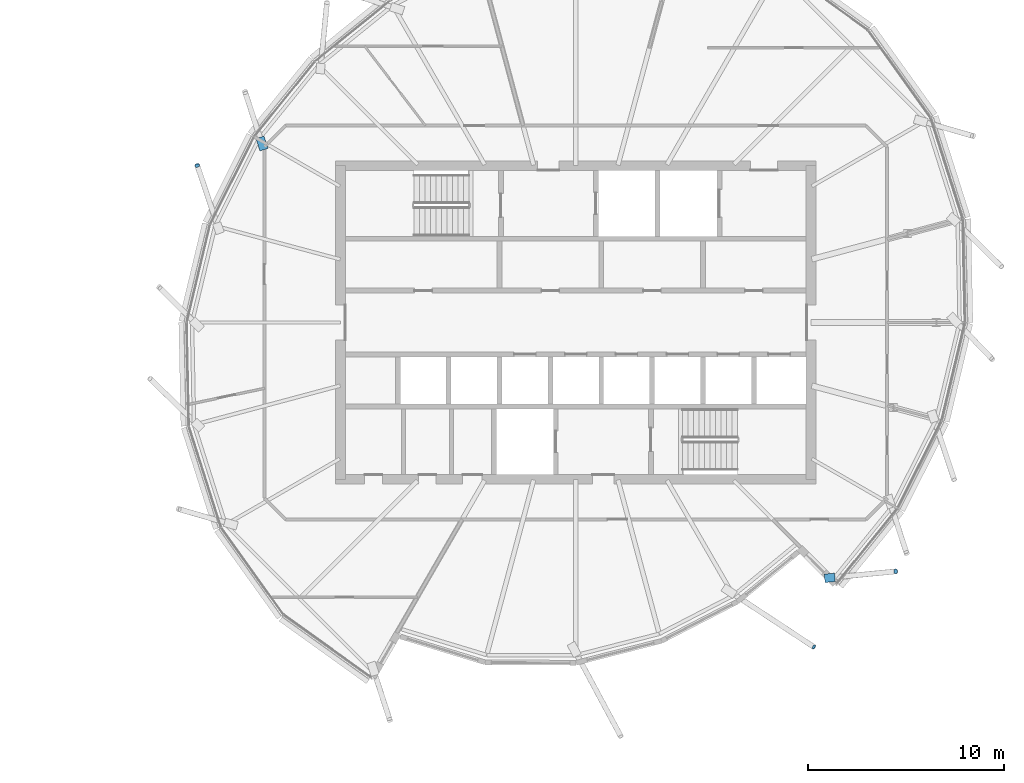
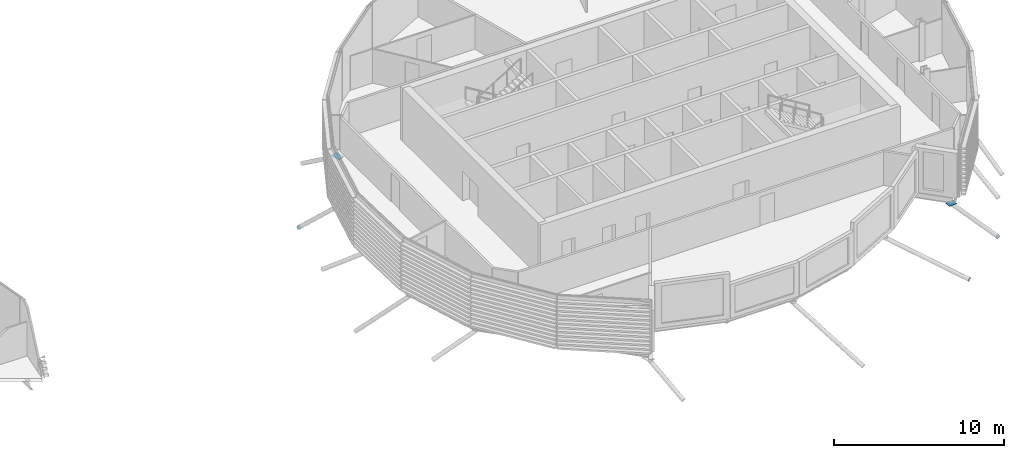
# One storey, part 30 of 38: 5 discrete accessories.
"""IFC4 building model written with IfcOpenShell, lengths in metres."""

from ifc_helpers import new_model, si_unit, direction, frame, origin, origin_2d, place, context, subcontext, project, spatial, polyline, rectangle, circle, outline, extrude, material, material_profile, profile_set, type_object, element, save


model = new_model("IFC4")

# Units and contexts
model_context = context("Model", 3, precision=1e-05, world=origin(), true_north=direction((0.0, 1.0)))
body_context = subcontext(model_context, "Body", "Model", "MODEL_VIEW")
ifc_project = project(units=[si_unit("LENGTHUNIT", "METRE"), si_unit("AREAUNIT", "SQUARE_METRE"), si_unit("VOLUMEUNIT", "CUBIC_METRE"), si_unit("PLANEANGLEUNIT", "RADIAN"), si_unit("MASSUNIT", "GRAM", prefix="KILO")], contexts=[model_context])

# Site, building, storey
site_placement = place(None, origin())
site = spatial("IfcSite", under=ifc_project, at=site_placement, CompositionType="ELEMENT")
building_placement = place(site_placement, origin())
building = spatial("IfcBuilding", under=site, at=building_placement, Name="Rimbun Link Towers", CompositionType="ELEMENT")
storey_placement = place(building_placement, frame((0.0, 0.0, 218.10009765625)))
storey = spatial("IfcBuildingStorey", under=building, at=storey_placement, Name="L53", CompositionType="ELEMENT", Elevation=218.10009765625)

# Discrete accessories
ifc_material_1 = material(Name="Steel S355J2H", Category="steel")
ifc_material_profile_1 = material_profile(ifc_material_1, circle(Radius=0.1240234375, at=origin_2d()), Name="PL D248")
ifc_profile_set_1 = profile_set([ifc_material_profile_1], Name="Steel S355J2H")
discrete_accessory_type_1 = type_object("IfcDiscreteAccessoryType", Name="Link foot sealing plate D248X20", PredefinedType="BRACKET", material=ifc_profile_set_1)
discrete_accessory_1_placement = place(storey_placement, frame((12.44091796875, 8.00537109375, -3.737548828125), z_axis=(-0.23132918753, 0.681812342194, -0.69398756259), x_axis=(-0.946978700315, -0.32129634475, 0.0)))
element("IfcDiscreteAccessory", 1, at=discrete_accessory_1_placement, inside=storey, type_object=discrete_accessory_type_1, Name="Link foot sealing plate T2 L53 08", PredefinedType="BRACKET", context=body_context, shape_type="SweptSolid", body=[
    extrude(circle(Radius=0.1240234375, at=origin_2d()), origin(), (0.0, 0.0, 1.0), 0.02001953125),
])
discrete_accessory_2_placement = place(storey_placement, frame((43.88818359375, -16.548828125, -3.598388671875), z_axis=(0.726129785447, -0.479984095465, -0.492291379964), x_axis=(0.551433013749, 0.834219174646, 0.0)))
element("IfcDiscreteAccessory", 2, at=discrete_accessory_2_placement, inside=storey, type_object=discrete_accessory_type_1, Name="Link foot sealing plate T2 L53 17", PredefinedType="BRACKET", context=body_context, shape_type="SweptSolid", body=[
    extrude(circle(Radius=0.1240234375, at=origin_2d()), origin(), (0.0, 0.0, 1.0), 0.019775390625),
])
discrete_accessory_3_placement = place(storey_placement, frame((48.065185546875, -12.69580078125, -4.31982421875), z_axis=(0.661048307145, 0.073449811905, -0.746739754367), x_axis=(-0.110431526075, 0.993883734674, 0.0)))
element("IfcDiscreteAccessory", 3, at=discrete_accessory_3_placement, inside=storey, type_object=discrete_accessory_type_1, Name="Link foot sealing plate T2 L53 18", PredefinedType="BRACKET", context=body_context, shape_type="SweptSolid", body=[
    extrude(circle(Radius=0.1240234375, at=origin_2d()), origin(), (0.0, 0.0, 1.0), 0.02001953125),
])
ifc_material_2 = material(Name="Steel S355J2H", Category="steel")
ifc_material_profile_2 = material_profile(ifc_material_2, rectangle(XDim=0.43310546875, YDim=0.43310546875, at=origin_2d()), Name="PL 433x433")
ifc_profile_set_2 = profile_set([ifc_material_profile_2], Name="Steel S355J2H")
discrete_accessory_type_2 = type_object("IfcDiscreteAccessoryType", Name="Link head end plate 433X20", PredefinedType="BRACKET", material=ifc_profile_set_2)
discrete_accessory_4_placement = place(storey_placement, frame((0.0, 0.0, -0.46337890625)))
element("IfcDiscreteAccessory", 4, at=discrete_accessory_4_placement, inside=storey, type_object=discrete_accessory_type_2, Name="Link head end plate T2 L53 07", PredefinedType="BRACKET", context=body_context, shape_type="SweptSolid", body=[
    extrude(outline(polyline([(16.04833984375, 8.884521484375), (15.84228515625, 9.51318359375), (15.430908203125, 9.378173828125), (15.636962890625, 8.74951171875), (16.04833984375, 8.884521484375)])), origin(), (0.0, 0.0, 1.0), 0.019775390625),
])
discrete_accessory_5_placement = place(storey_placement, frame((0.0, 0.0, -0.56640625)))
element("IfcDiscreteAccessory", 5, at=discrete_accessory_5_placement, inside=storey, type_object=discrete_accessory_type_2, Name="Link head end plate T2 L53 18", PredefinedType="BRACKET", context=body_context, shape_type="SweptSolid", body=[
    extrude(outline(polyline([(44.46337890625, -13.2666015625), (44.988037109375, -13.215087890625), (44.94580078125, -12.7841796875), (44.421142578125, -12.835693359375), (44.46337890625, -13.2666015625)])), origin(), (0.0, 0.0, 1.0), 0.02001953125),
])

save(model, "model.ifc")
